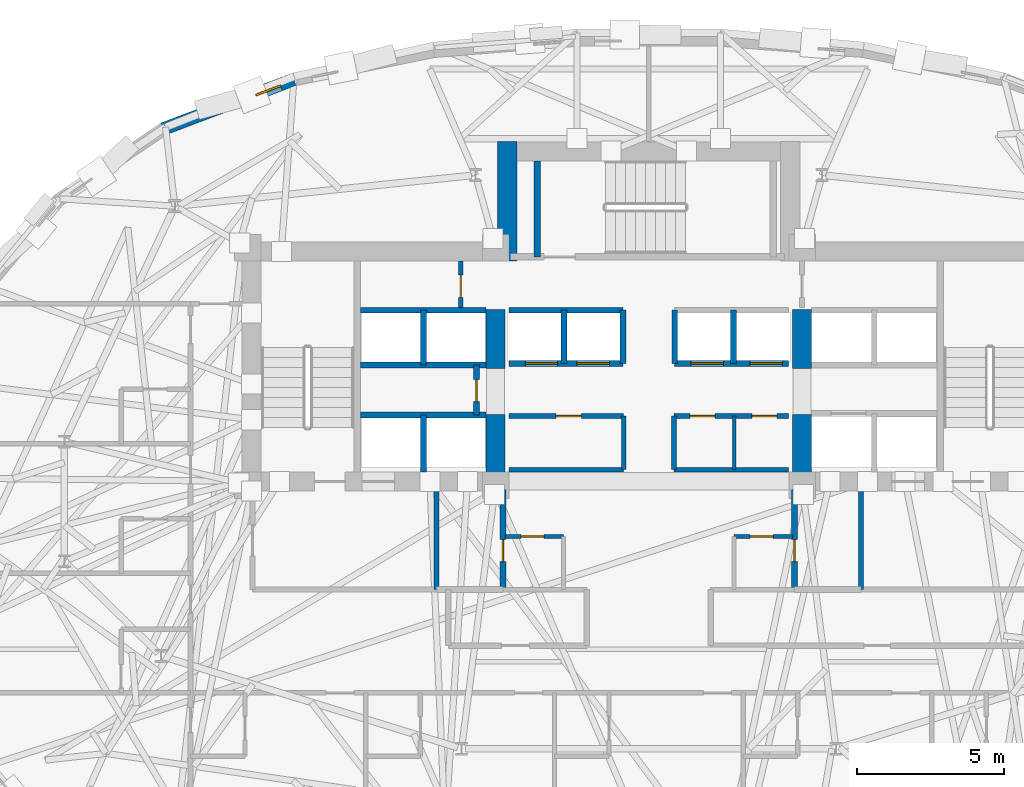
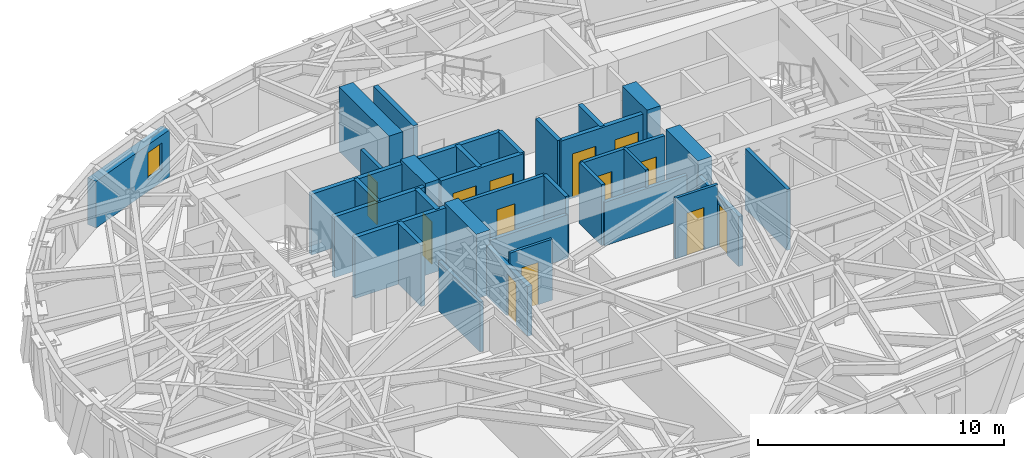
# One storey, part 8 of 15: 34 walls, 13 doors, 1 window, 14 openings.
"""IFC4 building model written with IfcOpenShell, lengths in metres."""

import ifcopenshell
import ifcopenshell.guid

model = None  # the IFC model being written
_history = None  # IfcOwnerHistory: only IFC2X3 demands one
_inside = {}  # id of a spatial element -> (the spatial element, [elements in it])
_under = {}  # id of a project, library or spatial element -> (it, [spatial elements below it])
_declared = {}  # id of a project -> (the project, [libraries it declares])
_typed = {}  # id of a type object -> (the type object, [elements of that type])
_made_of = {}  # id of a material, layer set ... -> (it, [elements and type objects made of it])


def new_model(schema):
    """Start an empty IFC model of exactly this schema.

    Asked for "IFC4X3", IfcOpenShell would pick the latest addendum, in which some entities
    have other attributes; the version numbers below select the first issue.
    IFC2X3 requires an IfcOwnerHistory on every rooted entity: one is made here for all.
    """
    global model, _history
    if schema == "IFC4X3":
        model = ifcopenshell.file(schema_version=(4, 3, 0, 0))
    else:
        model = ifcopenshell.file(schema=schema)
    _inside.clear()
    _under.clear()
    _declared.clear()
    _typed.clear()
    _made_of.clear()
    _history = None
    if model.schema == "IFC2X3":
        org = make("IfcOrganization", Name="unknown")
        user = make(
            "IfcPersonAndOrganization",
            ThePerson=make("IfcPerson", FamilyName="unknown"),
            TheOrganization=org,
        )
        app = make(
            "IfcApplication",
            ApplicationDeveloper=org,
            Version="unknown",
            ApplicationFullName="unknown",
            ApplicationIdentifier="unknown",
        )
        _history = make(
            "IfcOwnerHistory",
            OwningUser=user,
            OwningApplication=app,
            ChangeAction="ADDED",
            CreationDate=0,
        )
    return model


def make(cls, **values):
    """One entity of the class cls with the attributes given. An attribute that is None is left unset."""
    return model.create_entity(
        cls, **{name: value for name, value in values.items() if value is not None}
    )


def rooted(cls, **values):
    """An entity with a GlobalId (a new one), such as an element, a storey or a relation."""
    return make(cls, GlobalId=ifcopenshell.guid.new(), OwnerHistory=_history, **values)


def si_unit(unit_type, name, prefix=None):
    """IfcSIUnit, for example si_unit("LENGTHUNIT", "METRE", prefix="MILLI")."""
    return make("IfcSIUnit", UnitType=unit_type, Prefix=prefix, Name=name)


def assignment(units):
    """IfcUnitAssignment: the units of a project."""
    return None if units is None else make("IfcUnitAssignment", Units=units)


def point(xyz):
    """IfcCartesianPoint."""
    return None if xyz is None else make("IfcCartesianPoint", Coordinates=xyz)


def direction(xyz):
    """IfcDirection."""
    return None if xyz is None else make("IfcDirection", DirectionRatios=xyz)


def frame(location, z_axis=None, x_axis=None):
    """IfcAxis2Placement3D, a coordinate frame: its origin and axes. An axis left out is left unset."""
    return make(
        "IfcAxis2Placement3D",
        Location=point(location),
        Axis=direction(z_axis),
        RefDirection=direction(x_axis),
    )


def frame_2d(location, x_axis=None):
    """IfcAxis2Placement2D, a coordinate frame in the plane: its origin and x axis."""
    return make(
        "IfcAxis2Placement2D", Location=point(location), RefDirection=direction(x_axis)
    )


def origin():
    """The frame at (0, 0, 0) with its axes left unset."""
    return frame((0.0, 0.0, 0.0))


def place(relative_to, where):
    """IfcLocalPlacement: puts the frame where relative to a parent placement (None: the world)."""
    return make(
        "IfcLocalPlacement", PlacementRelTo=relative_to, RelativePlacement=where
    )


def context(
    kind, dimensions, precision=None, world=None, true_north=None, identifier=None
):
    """IfcGeometricRepresentationContext, for example the 3D "Model" context."""
    return make(
        "IfcGeometricRepresentationContext",
        ContextIdentifier=identifier,
        ContextType=kind,
        CoordinateSpaceDimension=dimensions,
        Precision=precision,
        WorldCoordinateSystem=world,
        TrueNorth=true_north,
    )


def subcontext(parent, identifier, kind, view, scale=None):
    """IfcGeometricRepresentationSubContext, for example "Body" below "Model"."""
    return make(
        "IfcGeometricRepresentationSubContext",
        ContextIdentifier=identifier,
        ContextType=kind,
        ParentContext=parent,
        TargetScale=scale,
        TargetView=view,
    )


def project(units=None, contexts=None):
    """IfcProject with its units and contexts."""
    return rooted(
        "IfcProject",
        Name="project",
        RepresentationContexts=contexts,
        UnitsInContext=assignment(units),
    )


def spatial(cls, under=None, at=None, **own):
    """A site, building, storey or space (cls), placed at a placement, below another one or the project."""
    s = rooted(cls, ObjectPlacement=at, **own)
    if under is not None:
        _under.setdefault(under.id(), (under, []))[1].append(s)
    return s


def profile(cls, at=None, kind="AREA", **sizes):
    """A parametric profile (cls). Its sizes go by their IFC names, for example OverallWidth=200.0."""
    return make(cls, ProfileType=kind, Position=at, **sizes)


def rectangle(**sizes):
    """IfcRectangleProfileDef."""
    return profile("IfcRectangleProfileDef", **sizes)


def extrude(swept, where, along, depth):
    """IfcExtrudedAreaSolid: the profile swept, set in the frame where, extruded along a direction by depth."""
    return make(
        "IfcExtrudedAreaSolid",
        SweptArea=swept,
        Position=where,
        ExtrudedDirection=direction(along),
        Depth=depth,
    )


def shape(context_of_items, identifier, shape_type, items):
    """IfcShapeRepresentation: the items that make up one representation, for example the "Body"."""
    return make(
        "IfcShapeRepresentation",
        ContextOfItems=context_of_items,
        RepresentationIdentifier=identifier,
        RepresentationType=shape_type,
        Items=items,
    )


def material(Name=None, Category=None):
    """IfcMaterial."""
    return make("IfcMaterial", Name=Name, Category=Category)


def layer(
    of_material, thickness, ventilated=None, Name=None, Category=None, Priority=None
):
    """IfcMaterialLayer: one layer of a wall or slab, of a material (None: an air gap)."""
    return make(
        "IfcMaterialLayer",
        Material=of_material,
        LayerThickness=thickness,
        IsVentilated=ventilated,
        Name=Name,
        Category=Category,
        Priority=Priority,
    )


def layer_set(layers, Name=None):
    """IfcMaterialLayerSet."""
    return make("IfcMaterialLayerSet", MaterialLayers=layers, LayerSetName=Name)


def made_of(thing, what):
    """Note that an element or type object is made of a material, layer set ...; save() writes the relation."""
    if what is not None:
        _made_of.setdefault(what.id(), (what, []))[1].append(thing)
    return thing


def type_object(cls, material=None, **own):
    """A type object (cls), such as IfcWallType, which elements share."""
    return made_of(rooted(cls, **own), material)


def element(
    cls,
    number,
    at=None,
    inside=None,
    cuts=None,
    type_object=None,
    material=None,
    context=None,
    identifier="Body",
    shape_type=None,
    held_by="IfcProductDefinitionShape",
    body=None,
    shapes=None,
    **own,
):
    """One element of the class cls, such as IfcWall. Its Tag is "e" and its number.

    at: its placement. inside: the storey or other place that contains it. cuts: it is an
    opening in that element (IfcRelVoidsElement). A single representation is given by context,
    identifier, shape_type and body (its items); several are given by shapes. held_by: the class
    of the entity that holds the representations. save() writes the other relations.
    """
    e = rooted(cls, Tag="e%d" % number, ObjectPlacement=at, **own)
    if body is not None:
        shapes = [shape(context, identifier, shape_type, body)]
    if shapes is not None:
        e.Representation = make(held_by, Representations=shapes)
    if inside is not None:
        _inside.setdefault(inside.id(), (inside, []))[1].append(e)
    if cuts is not None:
        rooted(
            "IfcRelVoidsElement", RelatingBuildingElement=cuts, RelatedOpeningElement=e
        )
    if type_object is not None:
        _typed.setdefault(type_object.id(), (type_object, []))[1].append(e)
    return made_of(e, material)


def fill(opening, filler):
    """IfcRelFillsElement: the door or window that sits in an opening."""
    return rooted(
        "IfcRelFillsElement",
        RelatingOpeningElement=opening,
        RelatedBuildingElement=filler,
    )


def aggregate(whole, parts):
    """IfcRelAggregates: a whole, such as a stair, and the parts it consists of."""
    return rooted("IfcRelAggregates", RelatingObject=whole, RelatedObjects=parts)


def save(model, path):
    """Write the relations noted so far, then the file.

    IfcRelAggregates (storeys below a building ...), IfcRelContainedInSpatialStructure (elements
    in a storey), IfcRelDefinesByType, IfcRelAssociatesMaterial and IfcRelDeclares: one each for
    every whole, place, type object, material and project.
    """
    for whole, parts in _under.values():
        aggregate(whole, parts)
    for where, things in _inside.values():
        rooted(
            "IfcRelContainedInSpatialStructure",
            RelatedElements=things,
            RelatingStructure=where,
        )
    for kind, things in _typed.values():
        rooted("IfcRelDefinesByType", RelatedObjects=things, RelatingType=kind)
    for what, things in _made_of.values():
        rooted("IfcRelAssociatesMaterial", RelatedObjects=things, RelatingMaterial=what)
    for by, libraries in _declared.values():
        rooted("IfcRelDeclares", RelatingContext=by, RelatedDefinitions=libraries)
    model.write(path)


model = new_model("IFC4")

# Units and contexts
model_context = context("Model", 3, precision=1e-05, world=origin(), true_north=direction((0.0, 1.0)))
body_context = subcontext(model_context, "Body", "Model", "MODEL_VIEW")
ifc_project = project(units=[si_unit("LENGTHUNIT", "METRE"), si_unit("AREAUNIT", "SQUARE_METRE"), si_unit("VOLUMEUNIT", "CUBIC_METRE"), si_unit("PLANEANGLEUNIT", "RADIAN"), si_unit("MASSUNIT", "GRAM", prefix="KILO")], contexts=[model_context])

# Site, building, storey
site_placement = place(None, origin())
site = spatial("IfcSite", under=ifc_project, at=site_placement, CompositionType="ELEMENT")
building_placement = place(site_placement, origin())
building = spatial("IfcBuilding", under=site, at=building_placement, Name="Keldmark Tower", CompositionType="ELEMENT")
storey_placement = place(building_placement, frame((0.0, 0.0, 150.199951171875)))
storey = spatial("IfcBuildingStorey", under=building, at=storey_placement, Name="L40", CompositionType="ELEMENT", Elevation=150.199951171875)

# Wall, opening, door
ifc_material_1 = material(Name="Acoustic Gypsum Board Interior Partition", Category="gypsum")
ifc_layer_1 = layer(ifc_material_1, 0.1298828125)
ifc_layer_set_1 = layer_set([ifc_layer_1], Name="Acoustic Gypsum Board Interior Partition")
wall_type_1 = type_object("IfcWallType", Name="Interior Partition 130 mm", PredefinedType="PARTITIONING", material=ifc_layer_set_1)
wall_1_placement = place(storey_placement, frame((-4.8798828125, -0.35009765625, 0.0), z_axis=(0.0, 0.0, 1.0), x_axis=(1.0, 0.0, 0.0)))
wall_1 = element("IfcWall", 1, at=wall_1_placement, inside=storey, type_object=wall_type_1, Name="L40 Interior Partition 130 mm CSC-W-N", PredefinedType="PARTITIONING", context=body_context, shape_type="SweptSolid", body=[
    extrude(rectangle(XDim=1.989990234375, YDim=0.1298828125, at=frame_2d((0.9951171875, 0.0))), origin(), (0.0, 0.0, 1.0), 3.02001953125),
])
opening_1_placement = place(wall_1_placement, frame((0.550048828125, 0.0, 0.0)))
opening_1 = element("IfcOpeningElement", 2, at=opening_1_placement, cuts=wall_1, Name="Opening D-CL078", PredefinedType="OPENING", context=body_context, shape_type="SweptSolid", body=[
    extrude(rectangle(XDim=0.780029296875, YDim=2.10009765625, at=frame_2d((0.39013671875, 1.050048828125))), frame((0.0, 0.074951171875, 0.0), z_axis=(0.0, -1.0, 0.0), x_axis=(1.0, 0.0, 0.0)), (0.0, 0.0, 1.0), 0.14990234375),
])
ifc_material_2 = material(Name="Flush Utility Closet Timber Door", Category="wood")
door_type_1 = type_object("IfcDoorType", Name="Closet Door 780x2100", OperationType="NOTDEFINED", PredefinedType="DOOR", material=ifc_material_2)
door_1_placement = place(opening_1_placement, origin())
door_1 = element("IfcDoor", 3, at=door_1_placement, inside=storey, type_object=door_type_1, Name="L40 Closet Door 780x2100 D-CSCW1-L40", OperationType="SINGLE_SWING_RIGHT", OverallHeight=2.10009765625, OverallWidth=0.780029296875, PredefinedType="DOOR", context=body_context, shape_type="SweptSolid", body=[
    extrude(rectangle(XDim=0.780029296875, YDim=2.10009765625, at=frame_2d((0.39013671875, 1.050048828125))), frame((0.0, 0.02490234375, 0.0), z_axis=(0.0, -1.0, 0.0), x_axis=(1.0, 0.0, 0.0)), (0.0, 0.0, 1.0), 0.050048828125),
])
fill(opening_1, door_1)

wall_2_placement = place(storey_placement, frame((2.889892578125, -0.35009765625, 0.0), z_axis=(0.0, 0.0, 1.0), x_axis=(1.0, 0.0, 0.0)))
wall_2 = element("IfcWall", 4, at=wall_2_placement, inside=storey, type_object=wall_type_1, Name="L40 Interior Partition 130 mm CSC-E-N", PredefinedType="PARTITIONING", context=body_context, shape_type="SweptSolid", body=[
    extrude(rectangle(XDim=1.989990234375, YDim=0.1298828125, at=frame_2d((0.9951171875, 0.0))), origin(), (0.0, 0.0, 1.0), 3.02001953125),
])
opening_2_placement = place(wall_2_placement, frame((0.550048828125, 0.0, 0.0)))
opening_2 = element("IfcOpeningElement", 5, at=opening_2_placement, cuts=wall_2, Name="Opening D-CL078", PredefinedType="OPENING", context=body_context, shape_type="SweptSolid", body=[
    extrude(rectangle(XDim=0.780029296875, YDim=2.10009765625, at=frame_2d((0.39013671875, 1.050048828125))), frame((0.0, 0.074951171875, 0.0), z_axis=(0.0, -1.0, 0.0), x_axis=(1.0, 0.0, 0.0)), (0.0, 0.0, 1.0), 0.14990234375),
])
door_2_placement = place(opening_2_placement, origin())
door_2 = element("IfcDoor", 6, at=door_2_placement, inside=storey, type_object=door_type_1, Name="L40 Closet Door 780x2100 D-CSCE1-L40", OperationType="SINGLE_SWING_RIGHT", OverallHeight=2.10009765625, OverallWidth=0.780029296875, PredefinedType="DOOR", context=body_context, shape_type="SweptSolid", body=[
    extrude(rectangle(XDim=0.780029296875, YDim=2.10009765625, at=frame_2d((0.39013671875, 1.050048828125))), frame((0.0, 0.02490234375, 0.0), z_axis=(0.0, -1.0, 0.0), x_axis=(1.0, 0.0, 0.0)), (0.0, 0.0, 1.0), 0.050048828125),
])
fill(opening_2, door_2)

# Walls
wall_3_placement = place(storey_placement, frame((2.89990234375, 1.919921875, 0.0), z_axis=(0.0, 0.0, 1.0), x_axis=(0.0, 1.0, 0.0)))
element("IfcWall", 7, at=wall_3_placement, inside=storey, type_object=wall_type_1, Name="L40 Interior Partition 130 mm REC-LE-M", PredefinedType="PARTITIONING", context=body_context, shape_type="SweptSolid", body=[
    extrude(rectangle(XDim=1.820068359375, YDim=0.1298828125, at=frame_2d((0.91015625, 0.0))), origin(), (0.0, 0.0, 1.0), 3.02001953125),
])
ifc_material_3 = material(Name="Type X Fire-Rated Gypsum Partition Assembly", Category="gypsum")
ifc_layer_2 = layer(ifc_material_3, 0.1650390625)
ifc_layer_set_2 = layer_set([ifc_layer_2], Name="Type X Fire-Rated Gypsum Partition Assembly")
wall_type_2 = type_object("IfcWallType", Name="Rated Partition 165 mm", PredefinedType="PARTITIONING", material=ifc_layer_set_2)
wall_4_placement = place(storey_placement, frame((-7.199951171875, -2.14990234375, 0.0), z_axis=(0.0, 0.0, 1.0), x_axis=(0.0, 1.0, 0.0)))
element("IfcWall", 8, at=wall_4_placement, inside=storey, type_object=wall_type_2, Name="L40 Rated Partition 165 mm FSAE-W-E", PredefinedType="PARTITIONING", context=body_context, shape_type="SweptSolid", body=[
    extrude(rectangle(XDim=3.39990234375, YDim=0.1650390625, at=frame_2d((1.699951171875, 0.0))), origin(), (0.0, 0.0, 1.0), 2.47314453125),
])
wall_5_placement = place(storey_placement, frame((7.199951171875, -2.14990234375, 0.0), z_axis=(0.0, 0.0, 1.0), x_axis=(0.0, 1.0, 0.0)))
element("IfcWall", 9, at=wall_5_placement, inside=storey, type_object=wall_type_2, Name="L40 Rated Partition 165 mm FSAE-E-W", PredefinedType="PARTITIONING", context=body_context, shape_type="SweptSolid", body=[
    extrude(rectangle(XDim=3.39990234375, YDim=0.1650390625, at=frame_2d((1.699951171875, 0.0))), origin(), (0.0, 0.0, 1.0), 3.02001953125),
])
wall_6_placement = place(storey_placement, frame((-4.739990234375, 1.919921875, 0.0), z_axis=(0.0, 0.0, 1.0), x_axis=(1.0, 0.0, 0.0)))
element("IfcWall", 10, at=wall_6_placement, inside=storey, type_object=wall_type_2, Name="L40 Rated Partition 165 mm REC-LW-S", PredefinedType="PARTITIONING", context=body_context, shape_type="SweptSolid", body=[
    extrude(rectangle(XDim=3.889892578125, YDim=0.1650390625, at=frame_2d((1.94482421875, 0.0))), origin(), (0.0, 0.0, 1.0), 2.16015625),
])

# Wall, opening, door
wall_7_placement = place(storey_placement, frame((-4.739990234375, 3.739990234375, 0.0), z_axis=(0.0, 0.0, 1.0), x_axis=(1.0, 0.0, 0.0)))
wall_7 = element("IfcWall", 11, at=wall_7_placement, inside=storey, type_object=wall_type_2, Name="L40 Rated Partition 165 mm REC-LW-N", PredefinedType="PARTITIONING", context=body_context, shape_type="SweptSolid", body=[
    extrude(rectangle(XDim=3.889892578125, YDim=0.1650390625, at=frame_2d((1.94482421875, 0.0))), origin(), (0.0, 0.0, 1.0), 3.02001953125),
])
opening_3_placement = place(wall_7_placement, frame((1.60009765625, 0.0, 0.0)))
opening_3 = element("IfcOpeningElement", 12, at=opening_3_placement, cuts=wall_7, Name="Opening D-SV085", PredefinedType="OPENING", context=body_context, shape_type="SweptSolid", body=[
    extrude(rectangle(XDim=0.85009765625, YDim=2.10009765625, at=frame_2d((0.425048828125, 1.050048828125))), frame((0.0, 0.092529296875, 0.0), z_axis=(0.0, -1.0, 0.0), x_axis=(1.0, 0.0, 0.0)), (0.0, 0.0, 1.0), 0.18505859375),
])
ifc_material_4 = material(Name="Painted Hollow Metal Door Assembly", Category="metal")
door_type_2 = type_object("IfcDoorType", Name="Service Door 850x2100", OperationType="NOTDEFINED", PredefinedType="DOOR", material=ifc_material_4)
door_3_placement = place(opening_3_placement, origin())
door_3 = element("IfcDoor", 13, at=door_3_placement, inside=storey, type_object=door_type_2, Name="L40 Service Door 850x2100 D-RECLW1-L40", OperationType="SINGLE_SWING_LEFT", OverallHeight=2.10009765625, OverallWidth=0.85009765625, PredefinedType="DOOR", context=body_context, shape_type="SweptSolid", body=[
    extrude(rectangle(XDim=0.85009765625, YDim=2.10009765625, at=frame_2d((0.425048828125, 1.050048828125))), frame((0.0, 0.02490234375, 0.0), z_axis=(0.0, -1.0, 0.0), x_axis=(1.0, 0.0, 0.0)), (0.0, 0.0, 1.0), 0.050048828125),
])
fill(opening_3, door_3)

# Walls
wall_8_placement = place(storey_placement, frame((-0.85009765625, 1.919921875, 0.0), z_axis=(0.0, 0.0, 1.0), x_axis=(0.0, 1.0, 0.0)))
element("IfcWall", 14, at=wall_8_placement, inside=storey, type_object=wall_type_2, Name="L40 Rated Partition 165 mm REC-LW-E", PredefinedType="PARTITIONING", context=body_context, shape_type="SweptSolid", body=[
    extrude(rectangle(XDim=1.820068359375, YDim=0.1650390625, at=frame_2d((0.91015625, 0.0))), origin(), (0.0, 0.0, 1.0), 3.02001953125),
])
wall_9_placement = place(storey_placement, frame((0.85009765625, 1.919921875, 0.0), z_axis=(0.0, 0.0, 1.0), x_axis=(1.0, 0.0, 0.0)))
element("IfcWall", 15, at=wall_9_placement, inside=storey, type_object=wall_type_2, Name="L40 Rated Partition 165 mm REC-LE-S", PredefinedType="PARTITIONING", context=body_context, shape_type="SweptSolid", body=[
    extrude(rectangle(XDim=3.889892578125, YDim=0.1650390625, at=frame_2d((1.94482421875, 0.0))), origin(), (0.0, 0.0, 1.0), 2.16015625),
])

# Wall, openings, doors
wall_10_placement = place(storey_placement, frame((0.85009765625, 3.739990234375, 0.0), z_axis=(0.0, 0.0, 1.0), x_axis=(1.0, 0.0, 0.0)))
wall_10 = element("IfcWall", 16, at=wall_10_placement, inside=storey, type_object=wall_type_2, Name="L40 Rated Partition 165 mm REC-LE-N", PredefinedType="PARTITIONING", context=body_context, shape_type="SweptSolid", body=[
    extrude(rectangle(XDim=3.889892578125, YDim=0.1650390625, at=frame_2d((1.94482421875, 0.0))), origin(), (0.0, 0.0, 1.0), 3.02001953125),
])
opening_4_placement = place(wall_10_placement, frame((0.550048828125, 0.0, 0.0)))
opening_4 = element("IfcOpeningElement", 17, at=opening_4_placement, cuts=wall_10, Name="Opening D-SV085", PredefinedType="OPENING", context=body_context, shape_type="SweptSolid", body=[
    extrude(rectangle(XDim=0.85009765625, YDim=2.10009765625, at=frame_2d((0.425048828125, 1.050048828125))), frame((0.0, 0.092529296875, 0.0), z_axis=(0.0, -1.0, 0.0), x_axis=(1.0, 0.0, 0.0)), (0.0, 0.0, 1.0), 0.18505859375),
])
opening_5_placement = place(wall_10_placement, frame((2.64990234375, 0.0, 0.0)))
opening_5 = element("IfcOpeningElement", 18, at=opening_5_placement, cuts=wall_10, Name="Opening D-SV085", PredefinedType="OPENING", context=body_context, shape_type="SweptSolid", body=[
    extrude(rectangle(XDim=0.85009765625, YDim=2.10009765625, at=frame_2d((0.425048828125, 1.050048828125))), frame((0.0, 0.092529296875, 0.0), z_axis=(0.0, -1.0, 0.0), x_axis=(1.0, 0.0, 0.0)), (0.0, 0.0, 1.0), 0.18505859375),
])
door_4_placement = place(opening_4_placement, origin())
door_4 = element("IfcDoor", 19, at=door_4_placement, inside=storey, type_object=door_type_2, Name="L40 Service Door 850x2100 D-RECLE1-L40", OperationType="SINGLE_SWING_LEFT", OverallHeight=2.10009765625, OverallWidth=0.85009765625, PredefinedType="DOOR", context=body_context, shape_type="SweptSolid", body=[
    extrude(rectangle(XDim=0.85009765625, YDim=2.10009765625, at=frame_2d((0.425048828125, 1.050048828125))), frame((0.0, 0.02490234375, 0.0), z_axis=(0.0, -1.0, 0.0), x_axis=(1.0, 0.0, 0.0)), (0.0, 0.0, 1.0), 0.050048828125),
])
fill(opening_4, door_4)
door_5_placement = place(opening_5_placement, origin())
door_5 = element("IfcDoor", 20, at=door_5_placement, inside=storey, type_object=door_type_2, Name="L40 Service Door 850x2100 D-RECLE2-L40", OperationType="SINGLE_SWING_RIGHT", OverallHeight=2.10009765625, OverallWidth=0.85009765625, PredefinedType="DOOR", context=body_context, shape_type="SweptSolid", body=[
    extrude(rectangle(XDim=0.85009765625, YDim=2.10009765625, at=frame_2d((0.425048828125, 1.050048828125))), frame((0.0, 0.02490234375, 0.0), z_axis=(0.0, -1.0, 0.0), x_axis=(1.0, 0.0, 0.0)), (0.0, 0.0, 1.0), 0.050048828125),
])
fill(opening_5, door_5)

# Wall
wall_11_placement = place(storey_placement, frame((0.85009765625, 1.919921875, 0.0), z_axis=(0.0, 0.0, 1.0), x_axis=(0.0, 1.0, 0.0)))
element("IfcWall", 21, at=wall_11_placement, inside=storey, type_object=wall_type_2, Name="L40 Rated Partition 165 mm REC-LE-W", PredefinedType="PARTITIONING", context=body_context, shape_type="SweptSolid", body=[
    extrude(rectangle(XDim=1.820068359375, YDim=0.1650390625, at=frame_2d((0.91015625, 0.0))), origin(), (0.0, 0.0, 1.0), 3.02001953125),
])

# Wall, opening, door
wall_12_placement = place(storey_placement, frame((-6.3798828125, 7.419921875, 0.0), z_axis=(0.0, 0.0, 1.0), x_axis=(0.0, 1.0, 0.0)))
wall_12 = element("IfcWall", 22, at=wall_12_placement, inside=storey, type_object=wall_type_2, Name="L40 Rated Partition 165 mm CS-NW-E", PredefinedType="PARTITIONING", context=body_context, shape_type="SweptSolid", body=[
    extrude(rectangle(XDim=1.580078125, YDim=0.1650390625, at=frame_2d((0.7900390625, 0.0))), origin(), (0.0, 0.0, 1.0), 3.02001953125),
])
opening_6_placement = place(wall_12_placement, frame((0.35009765625, 0.0, 0.0)))
opening_6 = element("IfcOpeningElement", 23, at=opening_6_placement, cuts=wall_12, Name="Opening D-RS075", PredefinedType="OPENING", context=body_context, shape_type="SweptSolid", body=[
    extrude(rectangle(XDim=0.75, YDim=2.10009765625, at=frame_2d((0.375, 1.050048828125))), frame((0.0, 0.092529296875, 0.0), z_axis=(0.0, -1.0, 0.0), x_axis=(1.0, 0.0, 0.0)), (0.0, 0.0, 1.0), 0.18505859375),
])
ifc_material_5 = material(Name="Galvanized Fire-Rated Access Leaf", Category="metal")
door_type_3 = type_object("IfcDoorType", Name="Riser Access Door 750x2100", OperationType="NOTDEFINED", PredefinedType="DOOR", material=ifc_material_5)
door_6_placement = place(opening_6_placement, origin())
door_6 = element("IfcDoor", 24, at=door_6_placement, inside=storey, type_object=door_type_3, Name="L40 Riser Access Door 750x2100 D-CSNW1-L40", OperationType="SINGLE_SWING_RIGHT", OverallHeight=2.10009765625, OverallWidth=0.75, PredefinedType="DOOR", context=body_context, shape_type="SweptSolid", body=[
    extrude(rectangle(XDim=0.75, YDim=2.10009765625, at=frame_2d((0.375, 1.050048828125))), frame((0.0, 0.02490234375, 0.0), z_axis=(0.0, -1.0, 0.0), x_axis=(1.0, 0.0, 0.0)), (0.0, 0.0, 1.0), 0.050048828125),
])
fill(opening_6, door_6)

ifc_material_6 = material(Name="Fire-Resistant Type X Gypsum Shaftliner Coreboard", Category="gypsum")
ifc_layer_3 = layer(ifc_material_6, 0.199951171875)
ifc_layer_set_3 = layer_set([ifc_layer_3], Name="Fire-Resistant Type X Gypsum Shaftliner Coreboard")
wall_type_3 = type_object("IfcWallType", Name="Shaft Wall 200 mm", PredefinedType="SOLIDWALL", material=ifc_layer_set_3)
wall_13_placement = place(storey_placement, frame((-4.949951171875, -2.14990234375, 0.0), z_axis=(0.0, 0.0, 1.0), x_axis=(0.0, 1.0, 0.0)))
wall_13 = element("IfcWall", 25, at=wall_13_placement, inside=storey, type_object=wall_type_3, Name="L40 Shaft Wall 200 mm RIS-SW-E", PredefinedType="SOLIDWALL", context=body_context, shape_type="SweptSolid", body=[
    extrude(rectangle(XDim=3.39990234375, YDim=0.199951171875, at=frame_2d((1.699951171875, 0.0))), origin(), (0.0, 0.0, 1.0), 2.47314453125),
])
opening_7_placement = place(wall_13_placement, frame((0.949951171875, 0.0, 0.0)))
opening_7 = element("IfcOpeningElement", 26, at=opening_7_placement, cuts=wall_13, Name="Opening D-RS075", PredefinedType="OPENING", context=body_context, shape_type="SweptSolid", body=[
    extrude(rectangle(XDim=0.75, YDim=2.10009765625, at=frame_2d((0.375, 1.050048828125))), frame((0.0, 0.10986328125, 0.0), z_axis=(0.0, -1.0, 0.0), x_axis=(1.0, 0.0, 0.0)), (0.0, 0.0, 1.0), 0.219970703125),
])
door_7_placement = place(opening_7_placement, origin())
door_7 = element("IfcDoor", 27, at=door_7_placement, inside=storey, type_object=door_type_3, Name="L40 Riser Access Door 750x2100 D-RISSW-L40", OperationType="SINGLE_SWING_RIGHT", OverallHeight=2.10009765625, OverallWidth=0.75, PredefinedType="DOOR", context=body_context, shape_type="SweptSolid", body=[
    extrude(rectangle(XDim=0.75, YDim=2.10009765625, at=frame_2d((0.375, 1.050048828125))), frame((0.0, 0.02490234375, 0.0), z_axis=(0.0, -1.0, 0.0), x_axis=(1.0, 0.0, 0.0)), (0.0, 0.0, 1.0), 0.050048828125),
])
fill(opening_7, door_7)

wall_14_placement = place(storey_placement, frame((4.949951171875, -2.14990234375, 0.0), z_axis=(0.0, 0.0, 1.0), x_axis=(0.0, 1.0, 0.0)))
wall_14 = element("IfcWall", 28, at=wall_14_placement, inside=storey, type_object=wall_type_3, Name="L40 Shaft Wall 200 mm RIS-SE-W", PredefinedType="SOLIDWALL", context=body_context, shape_type="SweptSolid", body=[
    extrude(rectangle(XDim=3.39990234375, YDim=0.199951171875, at=frame_2d((1.699951171875, 0.0))), origin(), (0.0, 0.0, 1.0), 2.47314453125),
])
opening_8_placement = place(wall_14_placement, frame((0.949951171875, 0.0, 0.0)))
opening_8 = element("IfcOpeningElement", 29, at=opening_8_placement, cuts=wall_14, Name="Opening D-RS075", PredefinedType="OPENING", context=body_context, shape_type="SweptSolid", body=[
    extrude(rectangle(XDim=0.75, YDim=2.10009765625, at=frame_2d((0.375, 1.050048828125))), frame((0.0, 0.10986328125, 0.0), z_axis=(0.0, -1.0, 0.0), x_axis=(1.0, 0.0, 0.0)), (0.0, 0.0, 1.0), 0.219970703125),
])
door_8_placement = place(opening_8_placement, origin())
door_8 = element("IfcDoor", 30, at=door_8_placement, inside=storey, type_object=door_type_3, Name="L40 Riser Access Door 750x2100 D-RISSE-L40", OperationType="SINGLE_SWING_LEFT", OverallHeight=2.10009765625, OverallWidth=0.75, PredefinedType="DOOR", context=body_context, shape_type="SweptSolid", body=[
    extrude(rectangle(XDim=0.75, YDim=2.10009765625, at=frame_2d((0.375, 1.050048828125))), frame((0.0, 0.02490234375, 0.0), z_axis=(0.0, -1.0, 0.0), x_axis=(1.0, 0.0, 0.0)), (0.0, 0.0, 1.0), 0.050048828125),
])
fill(opening_8, door_8)

# Walls
wall_15_placement = place(storey_placement, frame((-9.780029296875, 3.780029296875, 0.0), z_axis=(0.0, 0.0, 1.0), x_axis=(1.0, 0.0, 0.0)))
element("IfcWall", 31, at=wall_15_placement, inside=storey, type_object=wall_type_3, Name="L40 Shaft Wall 200 mm HW-W-S", PredefinedType="SOLIDWALL", context=body_context, shape_type="SweptSolid", body=[
    extrude(rectangle(XDim=4.255126953125, YDim=0.199951171875, at=frame_2d((2.12744140625, 0.0))), origin(), (0.0, 0.0, 1.0), 3.02001953125),
])
wall_16_placement = place(storey_placement, frame((-7.64990234375, 1.85009765625, 0.0), z_axis=(0.0, 0.0, 1.0), x_axis=(0.0, 1.0, 0.0)))
element("IfcWall", 32, at=wall_16_placement, inside=storey, type_object=wall_type_3, Name="L40 Shaft Wall 200 mm HW-W-M", PredefinedType="SOLIDWALL", context=body_context, shape_type="SweptSolid", body=[
    extrude(rectangle(XDim=1.929931640625, YDim=0.199951171875, at=frame_2d((0.96484375, 0.0))), origin(), (0.0, 0.0, 1.0), 3.02001953125),
])
for number, where, z_axis, x_axis, name in (
    (33, (-9.780029296875, 5.469970703125, 0.0), (0.0, 0.0, 1.0), (1.0, 0.0, 0.0), "L40 Shaft Wall 200 mm HW-W-N"),
    (34, (-9.780029296875, 7.330078125, 0.0), (0.0, 0.0, 1.0), (1.0, 0.0, 0.0), "L40 Shaft Wall 200 mm HW-W-TOP"),
):
    element("IfcWall", number, at=place(storey_placement, frame(where, z_axis=z_axis, x_axis=x_axis)), inside=storey, type_object=wall_type_3, Name=name, PredefinedType="SOLIDWALL", context=body_context, shape_type="SweptSolid", body=[
        extrude(rectangle(XDim=4.255126953125, YDim=0.199951171875, at=frame_2d((2.12744140625, 0.0))), origin(), (0.0, 0.0, 1.0), 3.02001953125),
    ])
wall_17_placement = place(storey_placement, frame((-7.64990234375, 5.469970703125, 0.0), z_axis=(0.0, 0.0, 1.0), x_axis=(0.0, 1.0, 0.0)))
element("IfcWall", 35, at=wall_17_placement, inside=storey, type_object=wall_type_3, Name="L40 Shaft Wall 200 mm HW-W-NM", PredefinedType="SOLIDWALL", context=body_context, shape_type="SweptSolid", body=[
    extrude(rectangle(XDim=1.860107421875, YDim=0.199951171875, at=frame_2d((0.93017578125, 0.0))), origin(), (0.0, 0.0, 1.0), 3.02001953125),
])

# Wall, opening, door
wall_18_placement = place(storey_placement, frame((-5.85009765625, 3.780029296875, 0.0), z_axis=(0.0, 0.0, 1.0), x_axis=(0.0, 1.0, 0.0)))
wall_18 = element("IfcWall", 36, at=wall_18_placement, inside=storey, type_object=wall_type_3, Name="L40 Shaft Wall 200 mm HW-W-CLOSE", PredefinedType="SOLIDWALL", context=body_context, shape_type="SweptSolid", body=[
    extrude(rectangle(XDim=1.68994140625, YDim=0.199951171875, at=frame_2d((0.844970703125, 0.0))), origin(), (0.0, 0.0, 1.0), 3.02001953125),
])
opening_9_placement = place(wall_18_placement, frame((0.449951171875, 0.0, 0.0)))
opening_9 = element("IfcOpeningElement", 37, at=opening_9_placement, cuts=wall_18, Name="Opening D-RS075", PredefinedType="OPENING", context=body_context, shape_type="SweptSolid", body=[
    extrude(rectangle(XDim=0.75, YDim=2.10009765625, at=frame_2d((0.375, 1.050048828125))), frame((0.0, 0.10986328125, 0.0), z_axis=(0.0, -1.0, 0.0), x_axis=(1.0, 0.0, 0.0)), (0.0, 0.0, 1.0), 0.219970703125),
])
door_9_placement = place(opening_9_placement, origin())
door_9 = element("IfcDoor", 38, at=door_9_placement, inside=storey, type_object=door_type_3, Name="L40 Riser Access Door 750x2100 D-RISHW-L40", OperationType="SINGLE_SWING_RIGHT", OverallHeight=2.10009765625, OverallWidth=0.75, PredefinedType="DOOR", context=body_context, shape_type="SweptSolid", body=[
    extrude(rectangle(XDim=0.75, YDim=2.10009765625, at=frame_2d((0.375, 1.050048828125))), frame((0.0, 0.02490234375, 0.0), z_axis=(0.0, -1.0, 0.0), x_axis=(1.0, 0.0, 0.0)), (0.0, 0.0, 1.0), 0.050048828125),
])
fill(opening_9, door_9)

# Wall, openings, doors
wall_19_placement = place(storey_placement, frame((-4.739990234375, 5.52001953125, 0.0), z_axis=(0.0, 0.0, 1.0), x_axis=(1.0, 0.0, 0.0)))
wall_19 = element("IfcWall", 39, at=wall_19_placement, inside=storey, type_object=wall_type_3, Name="L40 Shaft Wall 200 mm MID-S-W", PredefinedType="SOLIDWALL", context=body_context, shape_type="SweptSolid", body=[
    extrude(rectangle(XDim=3.860107421875, YDim=0.199951171875, at=frame_2d((1.93017578125, 0.0))), origin(), (0.0, 0.0, 1.0), 3.02001953125),
])
opening_10_placement = place(wall_19_placement, frame((0.550048828125, 0.0, 0.0)))
opening_10 = element("IfcOpeningElement", 40, at=opening_10_placement, cuts=wall_19, Name="Opening LD-110", PredefinedType="OPENING", context=body_context, shape_type="SweptSolid", body=[
    extrude(rectangle(XDim=1.10009765625, YDim=2.199951171875, at=frame_2d((0.550048828125, 1.10009765625))), frame((0.0, 0.10986328125, 0.0), z_axis=(0.0, -1.0, 0.0), x_axis=(1.0, 0.0, 0.0)), (0.0, 0.0, 1.0), 0.219970703125),
])
opening_11_placement = place(wall_19_placement, frame((2.300048828125, 0.0, 0.0)))
opening_11 = element("IfcOpeningElement", 41, at=opening_11_placement, cuts=wall_19, Name="Opening LD-110", PredefinedType="OPENING", context=body_context, shape_type="SweptSolid", body=[
    extrude(rectangle(XDim=1.10009765625, YDim=2.199951171875, at=frame_2d((0.550048828125, 1.10009765625))), frame((0.0, 0.10986328125, 0.0), z_axis=(0.0, -1.0, 0.0), x_axis=(1.0, 0.0, 0.0)), (0.0, 0.0, 1.0), 0.219970703125),
])
ifc_material_7 = material(Name="Brushed Bronze Hoistway Sliding Leaf", Category="metal")
door_type_4 = type_object("IfcDoorType", Name="Lift Landing Sliding Door 1100x2200", OperationType="SLIDING_TO_LEFT", PredefinedType="DOOR", material=ifc_material_7)
door_10_placement = place(opening_10_placement, origin())
door_10 = element("IfcDoor", 42, at=door_10_placement, inside=storey, type_object=door_type_4, Name="L40 Lift Landing Sliding Door 1100x2200 LD-EL-M1-L40", OperationType="SLIDING_TO_LEFT", OverallHeight=2.199951171875, OverallWidth=1.10009765625, PredefinedType="DOOR", context=body_context, shape_type="SweptSolid", body=[
    extrude(rectangle(XDim=1.10009765625, YDim=2.199951171875, at=frame_2d((0.550048828125, 1.10009765625))), frame((0.0, 0.02490234375, 0.0), z_axis=(0.0, -1.0, 0.0), x_axis=(1.0, 0.0, 0.0)), (0.0, 0.0, 1.0), 0.050048828125),
])
fill(opening_10, door_10)
door_11_placement = place(opening_11_placement, origin())
door_11 = element("IfcDoor", 43, at=door_11_placement, inside=storey, type_object=door_type_4, Name="L40 Lift Landing Sliding Door 1100x2200 LD-EL-M2-L40", OperationType="SLIDING_TO_LEFT", OverallHeight=2.199951171875, OverallWidth=1.10009765625, PredefinedType="DOOR", context=body_context, shape_type="SweptSolid", body=[
    extrude(rectangle(XDim=1.10009765625, YDim=2.199951171875, at=frame_2d((0.550048828125, 1.10009765625))), frame((0.0, 0.02490234375, 0.0), z_axis=(0.0, -1.0, 0.0), x_axis=(1.0, 0.0, 0.0)), (0.0, 0.0, 1.0), 0.050048828125),
])
fill(opening_11, door_11)

wall_20_placement = place(storey_placement, frame((0.8798828125, 5.52001953125, 0.0), z_axis=(0.0, 0.0, 1.0), x_axis=(1.0, 0.0, 0.0)))
wall_20 = element("IfcWall", 44, at=wall_20_placement, inside=storey, type_object=wall_type_3, Name="L40 Shaft Wall 200 mm MID-S-E", PredefinedType="SOLIDWALL", context=body_context, shape_type="SweptSolid", body=[
    extrude(rectangle(XDim=3.860107421875, YDim=0.199951171875, at=frame_2d((1.93017578125, 0.0))), origin(), (0.0, 0.0, 1.0), 3.02001953125),
])
opening_12_placement = place(wall_20_placement, frame((0.550048828125, 0.0, 0.0)))
opening_12 = element("IfcOpeningElement", 45, at=opening_12_placement, cuts=wall_20, Name="Opening LD-110", PredefinedType="OPENING", context=body_context, shape_type="SweptSolid", body=[
    extrude(rectangle(XDim=1.10009765625, YDim=2.199951171875, at=frame_2d((0.550048828125, 1.10009765625))), frame((0.0, 0.10986328125, 0.0), z_axis=(0.0, -1.0, 0.0), x_axis=(1.0, 0.0, 0.0)), (0.0, 0.0, 1.0), 0.219970703125),
])
opening_13_placement = place(wall_20_placement, frame((2.550048828125, 0.0, 0.0)))
opening_13 = element("IfcOpeningElement", 46, at=opening_13_placement, cuts=wall_20, Name="Opening LD-110", PredefinedType="OPENING", context=body_context, shape_type="SweptSolid", body=[
    extrude(rectangle(XDim=1.10009765625, YDim=2.199951171875, at=frame_2d((0.550048828125, 1.10009765625))), frame((0.0, 0.10986328125, 0.0), z_axis=(0.0, -1.0, 0.0), x_axis=(1.0, 0.0, 0.0)), (0.0, 0.0, 1.0), 0.219970703125),
])
door_12_placement = place(opening_12_placement, origin())
door_12 = element("IfcDoor", 47, at=door_12_placement, inside=storey, type_object=door_type_4, Name="L40 Lift Landing Sliding Door 1100x2200 LD-EL-M3-L40", OperationType="SLIDING_TO_LEFT", OverallHeight=2.199951171875, OverallWidth=1.10009765625, PredefinedType="DOOR", context=body_context, shape_type="SweptSolid", body=[
    extrude(rectangle(XDim=1.10009765625, YDim=2.199951171875, at=frame_2d((0.550048828125, 1.10009765625))), frame((0.0, 0.02490234375, 0.0), z_axis=(0.0, -1.0, 0.0), x_axis=(1.0, 0.0, 0.0)), (0.0, 0.0, 1.0), 0.050048828125),
])
fill(opening_12, door_12)
door_13_placement = place(opening_13_placement, origin())
door_13 = element("IfcDoor", 48, at=door_13_placement, inside=storey, type_object=door_type_4, Name="L40 Lift Landing Sliding Door 1100x2200 LD-EL-M4-L40", OperationType="SLIDING_TO_LEFT", OverallHeight=2.199951171875, OverallWidth=1.10009765625, PredefinedType="DOOR", context=body_context, shape_type="SweptSolid", body=[
    extrude(rectangle(XDim=1.10009765625, YDim=2.199951171875, at=frame_2d((0.550048828125, 1.10009765625))), frame((0.0, 0.02490234375, 0.0), z_axis=(0.0, -1.0, 0.0), x_axis=(1.0, 0.0, 0.0)), (0.0, 0.0, 1.0), 0.050048828125),
])
fill(opening_13, door_13)

# Walls
wall_21_placement = place(storey_placement, frame((-4.739990234375, 7.330078125, 0.0), z_axis=(0.0, 0.0, 1.0), x_axis=(1.0, 0.0, 0.0)))
element("IfcWall", 49, at=wall_21_placement, inside=storey, type_object=wall_type_3, Name="L40 Shaft Wall 200 mm MID-N-W", PredefinedType="SOLIDWALL", context=body_context, shape_type="SweptSolid", body=[
    extrude(rectangle(XDim=3.860107421875, YDim=0.199951171875, at=frame_2d((1.93017578125, 0.0))), origin(), (0.0, 0.0, 1.0), 3.02001953125),
])
for number, where, z_axis, x_axis, name in (
    (50, (-2.8798828125, 5.52001953125, 0.0), (0.0, 0.0, 1.0), (0.0, 1.0, 0.0), "L40 Shaft Wall 200 mm MID-M-W"),
    (51, (2.8798828125, 5.52001953125, 0.0), (0.0, 0.0, 1.0), (0.0, 1.0, 0.0), "L40 Shaft Wall 200 mm MID-M-E"),
    (52, (-0.8798828125, 5.52001953125, 0.0), (0.0, 0.0, 1.0), (0.0, 1.0, 0.0), "L40 Shaft Wall 200 mm MID-C-W"),
    (53, (0.8798828125, 5.52001953125, 0.0), (0.0, 0.0, 1.0), (0.0, 1.0, 0.0), "L40 Shaft Wall 200 mm MID-C-E"),
):
    element("IfcWall", number, at=place(storey_placement, frame(where, z_axis=z_axis, x_axis=x_axis)), inside=storey, type_object=wall_type_3, Name=name, PredefinedType="SOLIDWALL", context=body_context, shape_type="SweptSolid", body=[
        extrude(rectangle(XDim=1.81005859375, YDim=0.199951171875, at=frame_2d((0.905029296875, 0.0))), origin(), (0.0, 0.0, 1.0), 3.02001953125),
    ])
ifc_material_8 = material(Name="Concrete C50/60", Category="concrete")
ifc_layer_4 = layer(ifc_material_8, 0.219970703125)
ifc_layer_set_4 = layer_set([ifc_layer_4], Name="Concrete C50/60")
wall_type_4 = type_object("IfcWallType", Name="Stair Core Shear Wall 220 mm", PredefinedType="SHEAR", material=ifc_layer_set_4)
wall_22_placement = place(storey_placement, frame((-3.784912109375, 9.139892578125, 0.0), z_axis=(0.0, 0.0, 1.0), x_axis=(0.0, 1.0, 0.0)))
element("IfcWall", 54, at=wall_22_placement, inside=storey, type_object=wall_type_4, Name="L40 Central Stair Core West Shear Wall", PredefinedType="SHEAR", context=body_context, shape_type="SweptSolid", body=[
    extrude(rectangle(XDim=3.260009765625, YDim=0.219970703125, at=frame_2d((1.6298828125, 0.0))), origin(), (0.0, 0.0, 1.0), 3.199951171875),
])

# Wall, opening, window
ifc_material_9 = material(Name="Ironspot Manganese Brick and Kasota Buff Limestone Spandrel Assembly", Category="masonry")
ifc_layer_5 = layer(ifc_material_9, 0.43994140625)
ifc_layer_set_5 = layer_set([ifc_layer_5], Name="Ironspot Manganese Brick and Kasota Buff Limestone Spandrel Assembly")
wall_type_5 = type_object("IfcWallType", Name="Tower Brick Pier and Spandrel Wall 440 mm", PredefinedType="STANDARD", material=ifc_layer_set_5)
wall_23_placement = place(storey_placement, frame((-16.486083984375, 13.475341796875, 0.0), z_axis=(0.0, 0.0, 1.0), x_axis=(0.93488004884, 0.354963792916, 0.0)))
wall_23 = element("IfcWall", 55, at=wall_23_placement, inside=storey, type_object=wall_type_5, Name="L40 Exterior Brick and Spandrel Wall 11", PredefinedType="STANDARD", context=body_context, shape_type="SweptSolid", body=[
    extrude(rectangle(XDim=4.754638671875, YDim=0.43994140625, at=frame_2d((2.37744140625, 0.0))), origin(), (0.0, 0.0, 1.0), 2.31494140625),
])
opening_14_placement = place(wall_23_placement, frame((3.3583984375, 0.0, 0.580078125)))
opening_14 = element("IfcOpeningElement", 56, at=opening_14_placement, cuts=wall_23, Name="Opening W-09", PredefinedType="OPENING", context=body_context, shape_type="SweptSolid", body=[
    extrude(rectangle(XDim=0.89990234375, YDim=1.35009765625, at=frame_2d((0.449951171875, 0.675048828125))), frame((0.0, 0.22998046875, 0.0), z_axis=(0.0, -1.0, 0.0), x_axis=(1.0, 0.0, 0.0)), (0.0, 0.0, 1.0), 0.4599609375),
])
ifc_material_10 = material(Name="Thermally Broken Anodized Aluminum and Triple Low-E Argon Glazing", Category="aluminium")
window_type = type_object("IfcWindowType", Name="Corner Pier Deep-Set Window 900x1350", PartitioningType="SINGLE_PANEL", PredefinedType="WINDOW", material=ifc_material_10)
window_placement = place(opening_14_placement, origin())
window = element("IfcWindow", 57, at=window_placement, inside=storey, type_object=window_type, Name="L40 Deep-Set Window 11", OverallHeight=1.35009765625, OverallWidth=0.89990234375, PartitioningType="SINGLE_PANEL", PredefinedType="WINDOW", context=body_context, shape_type="SweptSolid", body=[
    extrude(rectangle(XDim=0.89990234375, YDim=1.35009765625, at=frame_2d((0.449951171875, 0.675048828125))), frame((0.0, -0.010009765625, 0.0), z_axis=(0.0, -1.0, 0.0), x_axis=(1.0, 0.0, 0.0)), (0.0, 0.0, 1.0), 0.06005859375),
])
fill(opening_14, window)

# Walls
ifc_material_11 = material(Name="Concrete C50/60", Category="concrete")
ifc_layer_6 = layer(ifc_material_11, 0.64990234375)
ifc_layer_set_6 = layer_set([ifc_layer_6], Name="Concrete C50/60")
wall_type_6 = type_object("IfcWallType", Name="Upper-Mid Core Shear Wall 650 mm", PredefinedType="SHEAR", material=ifc_layer_set_6)
wall_24_placement = place(storey_placement, frame((-5.199951171875, 1.199951171875, 0.0), z_axis=(0.0, 0.0, 1.0), x_axis=(0.0, 1.0, 0.0)))
element("IfcWall", 58, at=wall_24_placement, inside=storey, type_object=wall_type_6, Name="L40 West Core Inner Shear Pier South", PredefinedType="SHEAR", context=body_context, shape_type="SweptSolid", body=[
    extrude(rectangle(XDim=2.60009765625, YDim=0.64990234375, at=frame_2d((1.300048828125, 0.0))), origin(), (0.0, 0.0, 1.0), 3.199951171875),
])
wall_25_placement = place(storey_placement, frame((-5.199951171875, 5.35009765625, 0.0), z_axis=(0.0, 0.0, 1.0), x_axis=(0.0, 1.0, 0.0)))
element("IfcWall", 59, at=wall_25_placement, inside=storey, type_object=wall_type_6, Name="L40 West Core Inner Shear Pier North", PredefinedType="SHEAR", context=body_context, shape_type="SweptSolid", body=[
    extrude(rectangle(XDim=2.0, YDim=0.64990234375, at=frame_2d((1.0, 0.0))), origin(), (0.0, 0.0, 1.0), 3.199951171875),
])
wall_26_placement = place(storey_placement, frame((5.199951171875, 1.199951171875, 0.0), z_axis=(0.0, 0.0, 1.0), x_axis=(0.0, 1.0, 0.0)))
element("IfcWall", 60, at=wall_26_placement, inside=storey, type_object=wall_type_6, Name="L40 East Core Inner Shear Pier South", PredefinedType="SHEAR", context=body_context, shape_type="SweptSolid", body=[
    extrude(rectangle(XDim=2.60009765625, YDim=0.64990234375, at=frame_2d((1.300048828125, 0.0))), origin(), (0.0, 0.0, 1.0), 3.199951171875),
])
wall_27_placement = place(storey_placement, frame((5.199951171875, 5.35009765625, 0.0), z_axis=(0.0, 0.0, 1.0), x_axis=(0.0, 1.0, 0.0)))
element("IfcWall", 61, at=wall_27_placement, inside=storey, type_object=wall_type_6, Name="L40 East Core Inner Shear Pier North", PredefinedType="SHEAR", context=body_context, shape_type="SweptSolid", body=[
    extrude(rectangle(XDim=2.0, YDim=0.64990234375, at=frame_2d((1.0, 0.0))), origin(), (0.0, 0.0, 1.0), 3.199951171875),
])
wall_28_placement = place(storey_placement, frame((-4.800048828125, 9.0, 0.0), z_axis=(0.0, 0.0, 1.0), x_axis=(0.0, 1.0, 0.0)))
element("IfcWall", 62, at=wall_28_placement, inside=storey, type_object=wall_type_6, Name="L40 North Core West Shear Wall", PredefinedType="SHEAR", context=body_context, shape_type="SweptSolid", body=[
    extrude(rectangle(XDim=4.050048828125, YDim=0.64990234375, at=frame_2d((2.02490234375, 0.0))), origin(), (0.0, 0.0, 1.0), 3.199951171875),
])

save(model, "model.ifc")
